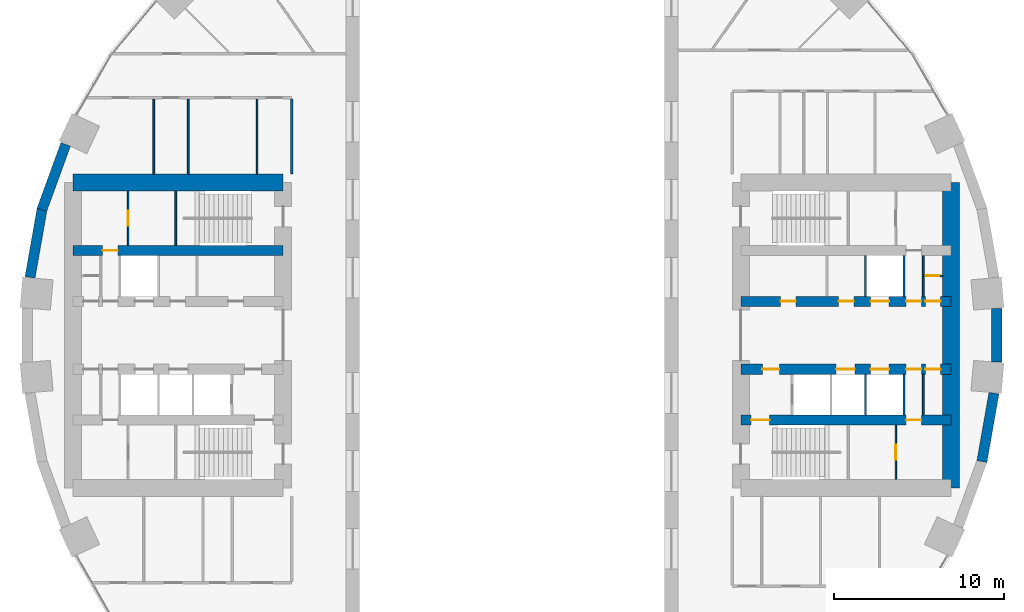
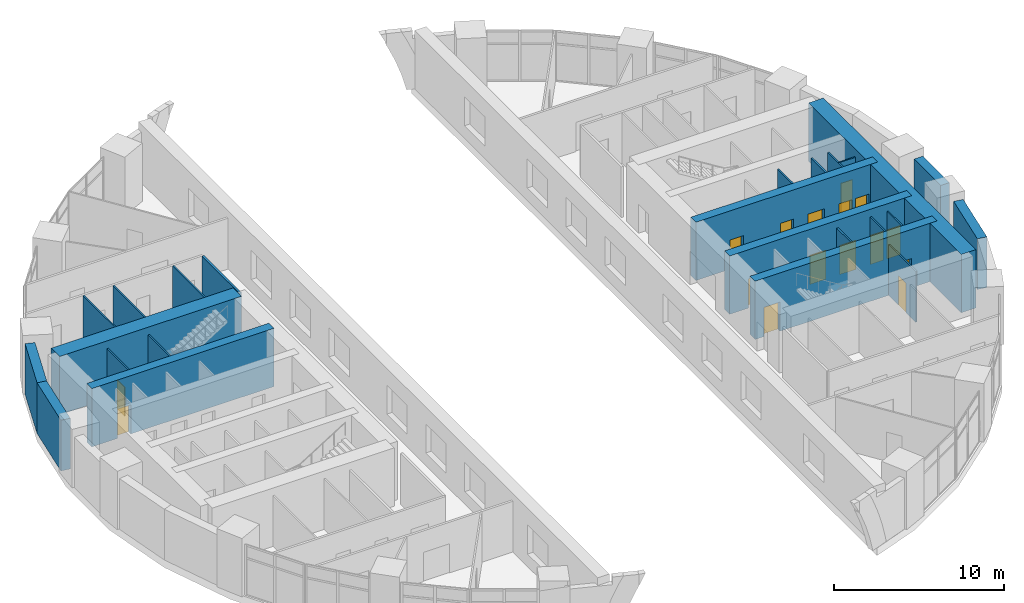
# One storey, part 10 of 13: 24 walls, 16 doors, 16 openings.
"""IFC4 building model written with IfcOpenShell, lengths in metres."""

from ifc_helpers import new_model, si_unit, direction, frame, frame_2d, origin, place, context, subcontext, project, spatial, rectangle, extrude, material, layer, layer_set, type_object, element, fill, save


model = new_model("IFC4")

# Units and contexts
model_context = context("Model", 3, precision=1e-05, world=origin(), true_north=direction((0.0, 1.0)))
body_context = subcontext(model_context, "Body", "Model", "MODEL_VIEW")
ifc_project = project(units=[si_unit("LENGTHUNIT", "METRE"), si_unit("AREAUNIT", "SQUARE_METRE"), si_unit("VOLUMEUNIT", "CUBIC_METRE"), si_unit("PLANEANGLEUNIT", "RADIAN"), si_unit("MASSUNIT", "GRAM", prefix="KILO")], contexts=[model_context])

# Site, building, storey
site_placement = place(None, origin())
site = spatial("IfcSite", under=ifc_project, at=site_placement, CompositionType="ELEMENT")
building_placement = place(site_placement, origin())
building = spatial("IfcBuilding", under=site, at=building_placement, Name="Saqina Gate Tower", CompositionType="ELEMENT")
storey_placement = place(building_placement, frame((0.0, 0.0, 9.199951171875)))
storey = spatial("IfcBuildingStorey", under=building, at=storey_placement, Name="L02", CompositionType="ELEMENT", Elevation=9.199951171875)

# Walls
ifc_material_1 = material(Name="Gypsum board on steel studs", Category="steel")
ifc_layer_1 = layer(ifc_material_1, 0.10009765625)
ifc_layer_set_1 = layer_set([ifc_layer_1], Name="CORE PARTITION")
wall_type_1 = type_object("IfcWallType", Name="CORE PARTITION", PredefinedType="PARTITIONING", material=ifc_layer_set_1)
for number, where, z_axis, x_axis, name in (
    (1, (24.260009765625, 2.300048828125, 0.0), (0.0, 0.0, 1.0), (0.0, 1.0, 0.0), "L02-CP-E04"),
    (2, (24.260009765625, -4.699951171875, 0.0), (0.0, 0.0, 1.0), (0.0, 1.0, 0.0), "L02-CP-E09"),
):
    element("IfcWall", number, at=place(storey_placement, frame(where, z_axis=z_axis, x_axis=x_axis)), inside=storey, type_object=wall_type_1, Name=name, PredefinedType="PARTITIONING", context=body_context, shape_type="SweptSolid", body=[
        extrude(rectangle(XDim=2.39990234375, YDim=0.10009765625, at=frame_2d((1.199951171875, 0.0))), origin(), (0.0, 0.0, 1.0), 3.650146484375),
    ])

# Wall, opening, door
wall_1_placement = place(storey_placement, frame((24.260009765625, 3.5, 0.0), z_axis=(0.0, 0.0, 1.0), x_axis=(1.0, 0.0, 0.0)))
wall_1 = element("IfcWall", 3, at=wall_1_placement, inside=storey, type_object=wall_type_1, Name="L02-CP-E10", PredefinedType="PARTITIONING", context=body_context, shape_type="SweptSolid", body=[
    extrude(rectangle(XDim=1.139892578125, YDim=0.10009765625, at=frame_2d((0.56982421875, 0.0))), origin(), (0.0, 0.0, 1.0), 3.650146484375),
])
opening_1_placement = place(wall_1_placement, frame((0.14990234375, 0.0, 0.0)))
opening_1 = element("IfcOpeningElement", 4, at=opening_1_placement, cuts=wall_1, Name="Opening L02-D97", PredefinedType="OPENING", context=body_context, shape_type="SweptSolid", body=[
    extrude(rectangle(XDim=0.800048828125, YDim=2.10009765625, at=frame_2d((0.39990234375, 1.050048828125))), frame((0.0, 0.06201171875, 0.0), z_axis=(0.0, -1.0, 0.0), x_axis=(1.0, 0.0, 0.0)), (0.0, 0.0, 1.0), 0.1240234375),
])
ifc_material_2 = material(Name="Steel-framed fire door leaf, EI 60", Category="steel")
door_type_1 = type_object("IfcDoorType", Name="SERVICE ROOM DOOR 800", OperationType="SINGLE_SWING_LEFT", PredefinedType="DOOR", material=ifc_material_2)
door_1_placement = place(opening_1_placement, origin())
door_1 = element("IfcDoor", 5, at=door_1_placement, inside=storey, type_object=door_type_1, Name="L02-CD-E08", OperationType="SINGLE_SWING_RIGHT", OverallHeight=2.10009765625, OverallWidth=0.800048828125, PredefinedType="DOOR", context=body_context, shape_type="SweptSolid", body=[
    extrude(rectangle(XDim=0.800048828125, YDim=2.10009765625, at=frame_2d((0.39990234375, 1.050048828125))), frame((0.0, 0.02490234375, 0.0), z_axis=(0.0, -1.0, 0.0), x_axis=(1.0, 0.0, 0.0)), (0.0, 0.0, 1.0), 0.050048828125),
])
fill(opening_1, door_1)

wall_2_placement = place(storey_placement, frame((22.639892578125, -8.5, 0.0), z_axis=(0.0, 0.0, 1.0), x_axis=(0.0, 1.0, 0.0)))
wall_2 = element("IfcWall", 6, at=wall_2_placement, inside=storey, type_object=wall_type_1, Name="L02-CP-E14", PredefinedType="PARTITIONING", context=body_context, shape_type="SweptSolid", body=[
    extrude(rectangle(XDim=3.199951171875, YDim=0.10009765625, at=frame_2d((1.60009765625, 0.0))), origin(), (0.0, 0.0, 1.0), 3.650146484375),
])
opening_2_placement = place(wall_2_placement, frame((1.14990234375, 0.0, 0.0)))
opening_2 = element("IfcOpeningElement", 7, at=opening_2_placement, cuts=wall_2, Name="Opening L02-D100", PredefinedType="OPENING", context=body_context, shape_type="SweptSolid", body=[
    extrude(rectangle(XDim=0.89990234375, YDim=2.10009765625, at=frame_2d((0.449951171875, 1.050048828125))), frame((0.0, 0.06201171875, 0.0), z_axis=(0.0, -1.0, 0.0), x_axis=(1.0, 0.0, 0.0)), (0.0, 0.0, 1.0), 0.1240234375),
])
ifc_material_3 = material(Name="Steel-framed fire door leaf, EI 60", Category="steel")
door_type_2 = type_object("IfcDoorType", Name="SERVICE ROOM DOOR 900", OperationType="SINGLE_SWING_LEFT", PredefinedType="DOOR", material=ifc_material_3)
door_2_placement = place(opening_2_placement, origin())
door_2 = element("IfcDoor", 8, at=door_2_placement, inside=storey, type_object=door_type_2, Name="L02-CD-E11", OperationType="SINGLE_SWING_LEFT", OverallHeight=2.10009765625, OverallWidth=0.89990234375, PredefinedType="DOOR", context=body_context, shape_type="SweptSolid", body=[
    extrude(rectangle(XDim=0.89990234375, YDim=2.10009765625, at=frame_2d((0.449951171875, 1.050048828125))), frame((0.0, 0.02490234375, 0.0), z_axis=(0.0, -1.0, 0.0), x_axis=(1.0, 0.0, 0.0)), (0.0, 0.0, 1.0), 0.050048828125),
])
fill(opening_2, door_2)

wall_3_placement = place(storey_placement, frame((-22.639892578125, 5.300048828125, 0.0), z_axis=(0.0, 0.0, 1.0), x_axis=(0.0, 1.0, 0.0)))
wall_3 = element("IfcWall", 9, at=wall_3_placement, inside=storey, type_object=wall_type_1, Name="L02-CP-W12", PredefinedType="PARTITIONING", context=body_context, shape_type="SweptSolid", body=[
    extrude(rectangle(XDim=3.199951171875, YDim=0.10009765625, at=frame_2d((1.60009765625, 0.0))), origin(), (0.0, 0.0, 1.0), 3.650146484375),
])
opening_3_placement = place(wall_3_placement, frame((1.14990234375, 0.0, 0.0)))
opening_3 = element("IfcOpeningElement", 10, at=opening_3_placement, cuts=wall_3, Name="Opening L02-D114", PredefinedType="OPENING", context=body_context, shape_type="SweptSolid", body=[
    extrude(rectangle(XDim=0.89990234375, YDim=2.10009765625, at=frame_2d((0.449951171875, 1.050048828125))), frame((0.0, 0.06201171875, 0.0), z_axis=(0.0, -1.0, 0.0), x_axis=(1.0, 0.0, 0.0)), (0.0, 0.0, 1.0), 0.1240234375),
])
door_3_placement = place(opening_3_placement, frame((0.89990234375, 0.0, 0.0), z_axis=(0.0, 0.0, 1.0), x_axis=(-1.0, 0.0, 0.0)))
door_3 = element("IfcDoor", 11, at=door_3_placement, inside=storey, type_object=door_type_2, Name="L02-CD-W25", OperationType="SINGLE_SWING_RIGHT", OverallHeight=2.10009765625, OverallWidth=0.89990234375, PredefinedType="DOOR", context=body_context, shape_type="SweptSolid", body=[
    extrude(rectangle(XDim=0.89990234375, YDim=2.10009765625, at=frame_2d((0.449951171875, 1.050048828125))), frame((0.0, 0.02490234375, 0.0), z_axis=(0.0, -1.0, 0.0), x_axis=(1.0, 0.0, 0.0)), (0.0, 0.0, 1.0), 0.050048828125),
])
fill(opening_3, door_3)

# Walls
ifc_material_4 = material(Name="Glazed ceramic tile", Category="ceramic")
ifc_layer_2 = layer(ifc_material_4, 0.60009765625)
ifc_layer_set_2 = layer_set([ifc_layer_2], Name="FW-TILE")
wall_type_2 = type_object("IfcWallType", Name="FW-TILE", PredefinedType="SOLIDWALL", material=ifc_layer_set_2)
for number, where, z_axis, x_axis, name in (
    (12, (-27.71630859375, 7.45361328125, 0.0), (0.0, 0.0, 1.0), (-0.173673210505, -0.984803338719, 0.0), "Facade wall L02 facet 17"),
    (13, (27.71630859375, -7.45361328125, 0.0), (0.0, 0.0, 1.0), (0.173673210505, 0.984803338719, 0.0), "Facade wall L02 facet 35"),
):
    element("IfcWall", number, at=place(storey_placement, frame(where, z_axis=z_axis, x_axis=x_axis)), inside=storey, type_object=wall_type_2, Name=name, PredefinedType="SOLIDWALL", context=body_context, shape_type="SweptSolid", body=[
        extrude(rectangle(XDim=4.09912109375, YDim=0.60009765625, at=frame_2d((2.049560546875, 0.0))), origin(), (0.0, 0.0, 1.0), 3.650146484375),
    ])
ifc_material_5 = material(Name="Glazed ceramic tile (dark blue)", Category="ceramic")
ifc_layer_3 = layer(ifc_material_5, 0.60009765625)
ifc_layer_set_3 = layer_set([ifc_layer_3], Name="FW-TILE-CB")
wall_type_3 = type_object("IfcWallType", Name="FW-TILE-CB", PredefinedType="SOLIDWALL", material=ifc_layer_set_3)
wall_4_placement = place(storey_placement, frame((-26.327880859375, 11.255126953125, 0.0), z_axis=(0.0, 0.0, 1.0), x_axis=(-0.342034744565, -0.939687306241, 0.0)))
element("IfcWall", 14, at=wall_4_placement, inside=storey, type_object=wall_type_3, Name="Facade wall L02 facet 16", PredefinedType="SOLIDWALL", context=body_context, shape_type="SweptSolid", body=[
    extrude(rectangle(XDim=4.099365234375, YDim=0.60009765625, at=frame_2d((2.0498046875, 0.0))), origin(), (0.0, 0.0, 1.0), 3.650146484375),
])
wall_5_placement = place(storey_placement, frame((28.589599609375, -1.571533203125, 0.0), z_axis=(0.0, 0.0, 1.0), x_axis=(0.0, 1.0, 0.0)))
element("IfcWall", 15, at=wall_5_placement, inside=storey, type_object=wall_type_3, Name="Facade wall L02 facet 36", PredefinedType="SOLIDWALL", context=body_context, shape_type="SweptSolid", body=[
    extrude(rectangle(XDim=3.14306640625, YDim=0.60009765625, at=frame_2d((1.571533203125, 0.0))), origin(), (0.0, 0.0, 1.0), 3.650146484375),
])
ifc_material_6 = material(Name="Autoclaved aerated concrete block", Category="concrete")
ifc_layer_4 = layer(ifc_material_6, 0.1201171875)
ifc_layer_set_4 = layer_set([ifc_layer_4], Name="SHAFT PARTITION")
wall_type_4 = type_object("IfcWallType", Name="SHAFT PARTITION", PredefinedType="PARTITIONING", material=ifc_layer_set_4)
for number, where, z_axis, x_axis, name in (
    (16, (20.840087890625, 2.300048828125, 0.0), (0.0, 0.0, 1.0), (0.0, 1.0, 0.0), "L02-CP-E02"),
    (17, (23.1201171875, 2.300048828125, 0.0), (0.0, 0.0, 1.0), (0.0, 1.0, 0.0), "L02-CP-E03"),
    (18, (20.840087890625, -4.699951171875, 0.0), (0.0, 0.0, 1.0), (0.0, 1.0, 0.0), "L02-CP-E07"),
    (19, (23.1201171875, -4.699951171875, 0.0), (0.0, 0.0, 1.0), (0.0, 1.0, 0.0), "L02-CP-E08"),
):
    element("IfcWall", number, at=place(storey_placement, frame(where, z_axis=z_axis, x_axis=x_axis)), inside=storey, type_object=wall_type_4, Name=name, PredefinedType="PARTITIONING", context=body_context, shape_type="SweptSolid", body=[
        extrude(rectangle(XDim=2.39990234375, YDim=0.1201171875, at=frame_2d((1.199951171875, 0.0))), origin(), (0.0, 0.0, 1.0), 3.650146484375),
    ])
ifc_material_7 = material(Name="Gypsum board on steel studs, 100 mm", Category="steel")
ifc_layer_5 = layer(ifc_material_7, 0.10009765625)
ifc_layer_set_5 = layer_set([ifc_layer_5], Name="SPECIAL PARTITION 100")
wall_type_5 = type_object("IfcWallType", Name="SPECIAL PARTITION 100", PredefinedType="PARTITIONING", material=ifc_layer_set_5)
for number, where, z_axis, x_axis, name in (
    (20, (-15.032958984375, 9.5, 0.0), (0.0, 0.0, 1.0), (0.0, 1.0, 0.0), "PARTITION 028"),
    (21, (-19.10009765625, 9.5, 0.0), (0.0, 0.0, 1.0), (0.0, 1.0, 0.0), "PARTITION 031"),
    (22, (-21.133056640625, 9.5, 0.0), (0.0, 0.0, 1.0), (0.0, 1.0, 0.0), "PARTITION 032"),
):
    element("IfcWall", number, at=place(storey_placement, frame(where, z_axis=z_axis, x_axis=x_axis)), inside=storey, type_object=wall_type_5, Name=name, PredefinedType="PARTITIONING", context=body_context, shape_type="SweptSolid", body=[
        extrude(rectangle(XDim=4.425048828125, YDim=0.10009765625, at=frame_2d((2.21240234375, 0.0))), origin(), (0.0, 0.0, 1.0), 3.650146484375),
    ])
ifc_material_8 = material(Name="Gypsum board on steel studs, 150 mm, fire rated", Category="steel")
ifc_layer_6 = layer(ifc_material_8, 0.14990234375)
ifc_layer_set_6 = layer_set([ifc_layer_6], Name="SPECIAL PARTITION EI 30 150")
wall_type_6 = type_object("IfcWallType", Name="SPECIAL PARTITION EI 30 150", PredefinedType="PARTITIONING", material=ifc_layer_set_6)
wall_6_placement = place(storey_placement, frame((-13.0, 9.5, 0.0), z_axis=(0.0, 0.0, 1.0), x_axis=(0.0, 1.0, 0.0)))
element("IfcWall", 23, at=wall_6_placement, inside=storey, type_object=wall_type_6, Name="PARTITION 027", PredefinedType="PARTITIONING", context=body_context, shape_type="SweptSolid", body=[
    extrude(rectangle(XDim=4.425048828125, YDim=0.14990234375, at=frame_2d((2.21240234375, 0.0))), origin(), (0.0, 0.0, 1.0), 3.650146484375),
])
ifc_material_9 = material(Name="Autoclaved aerated concrete block", Category="concrete")
ifc_layer_7 = layer(ifc_material_9, 0.10009765625)
ifc_layer_set_7 = layer_set([ifc_layer_7], Name="STAIR ENCLOSURE WALL")
wall_type_7 = type_object("IfcWallType", Name="STAIR ENCLOSURE WALL", PredefinedType="PARTITIONING", material=ifc_layer_set_7)
wall_7_placement = place(storey_placement, frame((-19.830078125, 5.300048828125, 0.0), z_axis=(0.0, 0.0, 1.0), x_axis=(0.0, 1.0, 0.0)))
element("IfcWall", 24, at=wall_7_placement, inside=storey, type_object=wall_type_7, Name="L02-CP-W11", PredefinedType="PARTITIONING", context=body_context, shape_type="SweptSolid", body=[
    extrude(rectangle(XDim=3.199951171875, YDim=0.10009765625, at=frame_2d((1.60009765625, 0.0))), origin(), (0.0, 0.0, 1.0), 3.650146484375),
])

# Wall, openings, doors
ifc_material_10 = material(Name="Concrete C70/85", Category="concrete")
ifc_layer_8 = layer(ifc_material_10, 0.60009765625)
ifc_layer_set_8 = layer_set([ifc_layer_8], Name="Concrete C70/85")
wall_type_8 = type_object("IfcWallType", Name="STR-CORE WALL-P-I", PredefinedType="SHEAR", material=ifc_layer_set_8)
wall_8_placement = place(storey_placement, frame((13.5, -5.0, 0.0), z_axis=(0.0, 0.0, 1.0), x_axis=(1.0, 0.0, 0.0)))
wall_8 = element("IfcWall", 25, at=wall_8_placement, inside=storey, type_object=wall_type_8, Name="CORE WALL L02 E-X2", PredefinedType="SHEAR", context=body_context, shape_type="SweptSolid", body=[
    extrude(rectangle(XDim=12.39990234375, YDim=0.60009765625, at=frame_2d((6.199951171875, 0.0))), origin(), (0.0, 0.0, 1.0), 4.199951171875),
])
opening_4_placement = place(wall_8_placement, frame((9.739990234375, 0.0, 0.0)))
opening_4 = element("IfcOpeningElement", 26, at=opening_4_placement, cuts=wall_8, Name="Opening L02-D101", PredefinedType="OPENING", context=body_context, shape_type="SweptSolid", body=[
    extrude(rectangle(XDim=0.89990234375, YDim=2.10009765625, at=frame_2d((0.449951171875, 1.050048828125))), frame((0.0, 0.31201171875, 0.0), z_axis=(0.0, -1.0, 0.0), x_axis=(1.0, 0.0, 0.0)), (0.0, 0.0, 1.0), 0.6240234375),
])
opening_5_placement = place(wall_8_placement, frame((0.60009765625, 0.0, 0.0)))
opening_5 = element("IfcOpeningElement", 27, at=opening_5_placement, cuts=wall_8, Name="Opening L02-D102", PredefinedType="OPENING", context=body_context, shape_type="SweptSolid", body=[
    extrude(rectangle(XDim=1.10009765625, YDim=2.10009765625, at=frame_2d((0.550048828125, 1.050048828125))), frame((0.0, 0.31201171875, 0.0), z_axis=(0.0, -1.0, 0.0), x_axis=(1.0, 0.0, 0.0)), (0.0, 0.0, 1.0), 0.6240234375),
])
ifc_material_11 = material(Name="Steel", Category="steel")
door_type_3 = type_object("IfcDoorType", Name="FIRE LOBBY DOOR EI 60 WIDE", OperationType="SINGLE_SWING_LEFT", PredefinedType="DOOR", material=ifc_material_11)
door_4_placement = place(opening_5_placement, frame((1.10009765625, 0.0, 0.0), z_axis=(0.0, 0.0, 1.0), x_axis=(-1.0, 0.0, 0.0)))
door_4 = element("IfcDoor", 28, at=door_4_placement, inside=storey, type_object=door_type_3, Name="L02-CD-E13", OperationType="SINGLE_SWING_RIGHT", OverallHeight=2.10009765625, OverallWidth=1.10009765625, PredefinedType="DOOR", context=body_context, shape_type="SweptSolid", body=[
    extrude(rectangle(XDim=1.10009765625, YDim=2.10009765625, at=frame_2d((0.550048828125, 1.050048828125))), frame((0.0, 0.02490234375, 0.0), z_axis=(0.0, -1.0, 0.0), x_axis=(1.0, 0.0, 0.0)), (0.0, 0.0, 1.0), 0.050048828125),
])
fill(opening_5, door_4)
door_5_placement = place(opening_4_placement, frame((0.89990234375, 0.0, 0.0), z_axis=(0.0, 0.0, 1.0), x_axis=(-1.0, 0.0, 0.0)))
door_5 = element("IfcDoor", 29, at=door_5_placement, inside=storey, type_object=door_type_2, Name="L02-CD-E12", OperationType="SINGLE_SWING_RIGHT", OverallHeight=2.10009765625, OverallWidth=0.89990234375, PredefinedType="DOOR", context=body_context, shape_type="SweptSolid", body=[
    extrude(rectangle(XDim=0.89990234375, YDim=2.10009765625, at=frame_2d((0.449951171875, 1.050048828125))), frame((0.0, 0.02490234375, 0.0), z_axis=(0.0, -1.0, 0.0), x_axis=(1.0, 0.0, 0.0)), (0.0, 0.0, 1.0), 0.050048828125),
])
fill(opening_4, door_5)

wall_9_placement = place(storey_placement, frame((13.5, 2.0, 0.0), z_axis=(0.0, 0.0, 1.0), x_axis=(1.0, 0.0, 0.0)))
wall_9 = element("IfcWall", 30, at=wall_9_placement, inside=storey, type_object=wall_type_8, Name="CORE WALL L02 E-L1", PredefinedType="SHEAR", context=body_context, shape_type="SweptSolid", body=[
    extrude(rectangle(XDim=12.39990234375, YDim=0.60009765625, at=frame_2d((6.199951171875, 0.0))), origin(), (0.0, 0.0, 1.0), 4.199951171875),
])
opening_6_placement = place(wall_9_placement, frame((7.64990234375, 0.0, 0.0)))
opening_6 = element("IfcOpeningElement", 31, at=opening_6_placement, cuts=wall_9, Name="Opening L02-LD1", PredefinedType="OPENING", context=body_context, shape_type="SweptSolid", body=[
    extrude(rectangle(XDim=1.10009765625, YDim=2.10009765625, at=frame_2d((0.550048828125, 1.050048828125))), frame((0.0, 0.31201171875, 0.0), z_axis=(0.0, -1.0, 0.0), x_axis=(1.0, 0.0, 0.0)), (0.0, 0.0, 1.0), 0.6240234375),
])
opening_7_placement = place(wall_9_placement, frame((2.34130859375, 0.0, 0.0)))
opening_7 = element("IfcOpeningElement", 32, at=opening_7_placement, cuts=wall_9, Name="Opening L02-D90", PredefinedType="OPENING", context=body_context, shape_type="SweptSolid", body=[
    extrude(rectangle(XDim=0.89990234375, YDim=2.10009765625, at=frame_2d((0.449951171875, 1.050048828125))), frame((0.0, 0.31201171875, 0.0), z_axis=(0.0, -1.0, 0.0), x_axis=(1.0, 0.0, 0.0)), (0.0, 0.0, 1.0), 0.6240234375),
])
opening_8_placement = place(wall_9_placement, frame((5.761474609375, 0.0, 0.0)))
opening_8 = element("IfcOpeningElement", 33, at=opening_8_placement, cuts=wall_9, Name="Opening L02-D91", PredefinedType="OPENING", context=body_context, shape_type="SweptSolid", body=[
    extrude(rectangle(XDim=0.89990234375, YDim=2.10009765625, at=frame_2d((0.449951171875, 1.050048828125))), frame((0.0, 0.31201171875, 0.0), z_axis=(0.0, -1.0, 0.0), x_axis=(1.0, 0.0, 0.0)), (0.0, 0.0, 1.0), 0.6240234375),
])
opening_9_placement = place(wall_9_placement, frame((9.739990234375, 0.0, 0.0)))
opening_9 = element("IfcOpeningElement", 34, at=opening_9_placement, cuts=wall_9, Name="Opening L02-D92", PredefinedType="OPENING", context=body_context, shape_type="SweptSolid", body=[
    extrude(rectangle(XDim=0.89990234375, YDim=2.10009765625, at=frame_2d((0.449951171875, 1.050048828125))), frame((0.0, 0.31201171875, 0.0), z_axis=(0.0, -1.0, 0.0), x_axis=(1.0, 0.0, 0.0)), (0.0, 0.0, 1.0), 0.6240234375),
])
opening_10_placement = place(wall_9_placement, frame((10.8798828125, 0.0, 0.0)))
opening_10 = element("IfcOpeningElement", 35, at=opening_10_placement, cuts=wall_9, Name="Opening L02-D93", PredefinedType="OPENING", context=body_context, shape_type="SweptSolid", body=[
    extrude(rectangle(XDim=0.89990234375, YDim=2.10009765625, at=frame_2d((0.449951171875, 1.050048828125))), frame((0.0, 0.31201171875, 0.0), z_axis=(0.0, -1.0, 0.0), x_axis=(1.0, 0.0, 0.0)), (0.0, 0.0, 1.0), 0.6240234375),
])
ifc_material_12 = material(Name="Stainless steel", Category="steel")
door_type_4 = type_object("IfcDoorType", Name="LANDING DOOR", OperationType="DOUBLE_DOOR_SLIDING", PredefinedType="DOOR", material=ifc_material_12)
door_6_placement = place(opening_6_placement, origin())
door_6 = element("IfcDoor", 36, at=door_6_placement, inside=storey, type_object=door_type_4, Name="LANDING DOOR LR1", OperationType="DOUBLE_DOOR_SLIDING", OverallHeight=2.10009765625, OverallWidth=1.10009765625, PredefinedType="DOOR", context=body_context, shape_type="SweptSolid", body=[
    extrude(rectangle(XDim=1.10009765625, YDim=2.10009765625, at=frame_2d((0.550048828125, 1.050048828125))), frame((0.0, 0.02490234375, 0.0), z_axis=(0.0, -1.0, 0.0), x_axis=(1.0, 0.0, 0.0)), (0.0, 0.0, 1.0), 0.050048828125),
])
fill(opening_6, door_6)
door_7_placement = place(opening_7_placement, origin())
door_7 = element("IfcDoor", 37, at=door_7_placement, inside=storey, type_object=door_type_2, Name="L02-CD-E01", OperationType="SINGLE_SWING_LEFT", OverallHeight=2.10009765625, OverallWidth=0.89990234375, PredefinedType="DOOR", context=body_context, shape_type="SweptSolid", body=[
    extrude(rectangle(XDim=0.89990234375, YDim=2.10009765625, at=frame_2d((0.449951171875, 1.050048828125))), frame((0.0, 0.02490234375, 0.0), z_axis=(0.0, -1.0, 0.0), x_axis=(1.0, 0.0, 0.0)), (0.0, 0.0, 1.0), 0.050048828125),
])
fill(opening_7, door_7)
door_8_placement = place(opening_8_placement, origin())
door_8 = element("IfcDoor", 38, at=door_8_placement, inside=storey, type_object=door_type_2, Name="L02-CD-E02", OperationType="SINGLE_SWING_RIGHT", OverallHeight=2.10009765625, OverallWidth=0.89990234375, PredefinedType="DOOR", context=body_context, shape_type="SweptSolid", body=[
    extrude(rectangle(XDim=0.89990234375, YDim=2.10009765625, at=frame_2d((0.449951171875, 1.050048828125))), frame((0.0, 0.02490234375, 0.0), z_axis=(0.0, -1.0, 0.0), x_axis=(1.0, 0.0, 0.0)), (0.0, 0.0, 1.0), 0.050048828125),
])
fill(opening_8, door_8)
door_9_placement = place(opening_9_placement, origin())
door_9 = element("IfcDoor", 39, at=door_9_placement, inside=storey, type_object=door_type_2, Name="L02-CD-E03", OperationType="SINGLE_SWING_LEFT", OverallHeight=2.10009765625, OverallWidth=0.89990234375, PredefinedType="DOOR", context=body_context, shape_type="SweptSolid", body=[
    extrude(rectangle(XDim=0.89990234375, YDim=2.10009765625, at=frame_2d((0.449951171875, 1.050048828125))), frame((0.0, 0.02490234375, 0.0), z_axis=(0.0, -1.0, 0.0), x_axis=(1.0, 0.0, 0.0)), (0.0, 0.0, 1.0), 0.050048828125),
])
fill(opening_9, door_9)
door_10_placement = place(opening_10_placement, origin())
door_10 = element("IfcDoor", 40, at=door_10_placement, inside=storey, type_object=door_type_2, Name="L02-CD-E04", OperationType="SINGLE_SWING_RIGHT", OverallHeight=2.10009765625, OverallWidth=0.89990234375, PredefinedType="DOOR", context=body_context, shape_type="SweptSolid", body=[
    extrude(rectangle(XDim=0.89990234375, YDim=2.10009765625, at=frame_2d((0.449951171875, 1.050048828125))), frame((0.0, 0.02490234375, 0.0), z_axis=(0.0, -1.0, 0.0), x_axis=(1.0, 0.0, 0.0)), (0.0, 0.0, 1.0), 0.050048828125),
])
fill(opening_10, door_10)

wall_10_placement = place(storey_placement, frame((13.5, -2.0, 0.0), z_axis=(0.0, 0.0, 1.0), x_axis=(1.0, 0.0, 0.0)))
wall_10 = element("IfcWall", 41, at=wall_10_placement, inside=storey, type_object=wall_type_8, Name="CORE WALL L02 E-L2", PredefinedType="SHEAR", context=body_context, shape_type="SweptSolid", body=[
    extrude(rectangle(XDim=12.39990234375, YDim=0.60009765625, at=frame_2d((6.199951171875, 0.0))), origin(), (0.0, 0.0, 1.0), 4.199951171875),
])
opening_11_placement = place(wall_10_placement, frame((5.6201171875, 0.0, 0.0)))
opening_11 = element("IfcOpeningElement", 42, at=opening_11_placement, cuts=wall_10, Name="Opening L02-LD3", PredefinedType="OPENING", context=body_context, shape_type="SweptSolid", body=[
    extrude(rectangle(XDim=1.10009765625, YDim=2.10009765625, at=frame_2d((0.550048828125, 1.050048828125))), frame((0.0, 0.31201171875, 0.0), z_axis=(0.0, -1.0, 0.0), x_axis=(1.0, 0.0, 0.0)), (0.0, 0.0, 1.0), 0.6240234375),
])
opening_12_placement = place(wall_10_placement, frame((7.64990234375, 0.0, 0.0)))
opening_12 = element("IfcOpeningElement", 43, at=opening_12_placement, cuts=wall_10, Name="Opening L02-LD4", PredefinedType="OPENING", context=body_context, shape_type="SweptSolid", body=[
    extrude(rectangle(XDim=1.10009765625, YDim=2.10009765625, at=frame_2d((0.550048828125, 1.050048828125))), frame((0.0, 0.31201171875, 0.0), z_axis=(0.0, -1.0, 0.0), x_axis=(1.0, 0.0, 0.0)), (0.0, 0.0, 1.0), 0.6240234375),
])
opening_13_placement = place(wall_10_placement, frame((1.264892578125, 0.0, 0.0)))
opening_13 = element("IfcOpeningElement", 44, at=opening_13_placement, cuts=wall_10, Name="Opening L02-D94", PredefinedType="OPENING", context=body_context, shape_type="SweptSolid", body=[
    extrude(rectangle(XDim=1.0, YDim=2.10009765625, at=frame_2d((0.5, 1.050048828125))), frame((0.0, 0.31201171875, 0.0), z_axis=(0.0, -1.0, 0.0), x_axis=(1.0, 0.0, 0.0)), (0.0, 0.0, 1.0), 0.6240234375),
])
opening_14_placement = place(wall_10_placement, frame((9.739990234375, 0.0, 0.0)))
opening_14 = element("IfcOpeningElement", 45, at=opening_14_placement, cuts=wall_10, Name="Opening L02-D95", PredefinedType="OPENING", context=body_context, shape_type="SweptSolid", body=[
    extrude(rectangle(XDim=0.89990234375, YDim=2.10009765625, at=frame_2d((0.449951171875, 1.050048828125))), frame((0.0, 0.31201171875, 0.0), z_axis=(0.0, -1.0, 0.0), x_axis=(1.0, 0.0, 0.0)), (0.0, 0.0, 1.0), 0.6240234375),
])
opening_15_placement = place(wall_10_placement, frame((10.8798828125, 0.0, 0.0)))
opening_15 = element("IfcOpeningElement", 46, at=opening_15_placement, cuts=wall_10, Name="Opening L02-D96", PredefinedType="OPENING", context=body_context, shape_type="SweptSolid", body=[
    extrude(rectangle(XDim=0.89990234375, YDim=2.10009765625, at=frame_2d((0.449951171875, 1.050048828125))), frame((0.0, 0.31201171875, 0.0), z_axis=(0.0, -1.0, 0.0), x_axis=(1.0, 0.0, 0.0)), (0.0, 0.0, 1.0), 0.6240234375),
])
ifc_material_13 = material(Name="Steel", Category="steel")
door_type_5 = type_object("IfcDoorType", Name="FIRE LOBBY DOOR EI 60", OperationType="SINGLE_SWING_LEFT", PredefinedType="DOOR", material=ifc_material_13)
door_11_placement = place(opening_13_placement, origin())
door_11 = element("IfcDoor", 47, at=door_11_placement, inside=storey, type_object=door_type_5, Name="L02-CD-E05", OperationType="SINGLE_SWING_LEFT", OverallHeight=2.10009765625, OverallWidth=1.0, PredefinedType="DOOR", context=body_context, shape_type="SweptSolid", body=[
    extrude(rectangle(XDim=1.0, YDim=2.10009765625, at=frame_2d((0.5, 1.050048828125))), frame((0.0, 0.02490234375, 0.0), z_axis=(0.0, -1.0, 0.0), x_axis=(1.0, 0.0, 0.0)), (0.0, 0.0, 1.0), 0.050048828125),
])
fill(opening_13, door_11)
door_12_placement = place(opening_11_placement, origin())
door_12 = element("IfcDoor", 48, at=door_12_placement, inside=storey, type_object=door_type_4, Name="LANDING DOOR LR3", OperationType="DOUBLE_DOOR_SLIDING", OverallHeight=2.10009765625, OverallWidth=1.10009765625, PredefinedType="DOOR", context=body_context, shape_type="SweptSolid", body=[
    extrude(rectangle(XDim=1.10009765625, YDim=2.10009765625, at=frame_2d((0.550048828125, 1.050048828125))), frame((0.0, 0.02490234375, 0.0), z_axis=(0.0, -1.0, 0.0), x_axis=(1.0, 0.0, 0.0)), (0.0, 0.0, 1.0), 0.050048828125),
])
fill(opening_11, door_12)
door_13_placement = place(opening_12_placement, origin())
door_13 = element("IfcDoor", 49, at=door_13_placement, inside=storey, type_object=door_type_4, Name="LANDING DOOR LR2", OperationType="DOUBLE_DOOR_SLIDING", OverallHeight=2.10009765625, OverallWidth=1.10009765625, PredefinedType="DOOR", context=body_context, shape_type="SweptSolid", body=[
    extrude(rectangle(XDim=1.10009765625, YDim=2.10009765625, at=frame_2d((0.550048828125, 1.050048828125))), frame((0.0, 0.02490234375, 0.0), z_axis=(0.0, -1.0, 0.0), x_axis=(1.0, 0.0, 0.0)), (0.0, 0.0, 1.0), 0.050048828125),
])
fill(opening_12, door_13)
door_14_placement = place(opening_14_placement, frame((0.89990234375, 0.0, 0.0), z_axis=(0.0, 0.0, 1.0), x_axis=(-1.0, 0.0, 0.0)))
door_14 = element("IfcDoor", 50, at=door_14_placement, inside=storey, type_object=door_type_2, Name="L02-CD-E06", OperationType="SINGLE_SWING_RIGHT", OverallHeight=2.10009765625, OverallWidth=0.89990234375, PredefinedType="DOOR", context=body_context, shape_type="SweptSolid", body=[
    extrude(rectangle(XDim=0.89990234375, YDim=2.10009765625, at=frame_2d((0.449951171875, 1.050048828125))), frame((0.0, 0.02490234375, 0.0), z_axis=(0.0, -1.0, 0.0), x_axis=(1.0, 0.0, 0.0)), (0.0, 0.0, 1.0), 0.050048828125),
])
fill(opening_14, door_14)
door_15_placement = place(opening_15_placement, frame((0.89990234375, 0.0, 0.0), z_axis=(0.0, 0.0, 1.0), x_axis=(-1.0, 0.0, 0.0)))
door_15 = element("IfcDoor", 51, at=door_15_placement, inside=storey, type_object=door_type_2, Name="L02-CD-E07", OperationType="SINGLE_SWING_LEFT", OverallHeight=2.10009765625, OverallWidth=0.89990234375, PredefinedType="DOOR", context=body_context, shape_type="SweptSolid", body=[
    extrude(rectangle(XDim=0.89990234375, YDim=2.10009765625, at=frame_2d((0.449951171875, 1.050048828125))), frame((0.0, 0.02490234375, 0.0), z_axis=(0.0, -1.0, 0.0), x_axis=(1.0, 0.0, 0.0)), (0.0, 0.0, 1.0), 0.050048828125),
])
fill(opening_15, door_15)

# Wall, opening, door
wall_11_placement = place(storey_placement, frame((-13.5, 5.0, 0.0), z_axis=(0.0, 0.0, 1.0), x_axis=(-1.0, 0.0, 0.0)))
wall_11 = element("IfcWall", 52, at=wall_11_placement, inside=storey, type_object=wall_type_8, Name="CORE WALL L02 W-X1", PredefinedType="SHEAR", context=body_context, shape_type="SweptSolid", body=[
    extrude(rectangle(XDim=12.39990234375, YDim=0.60009765625, at=frame_2d((6.199951171875, 0.0))), origin(), (0.0, 0.0, 1.0), 4.199951171875),
])
opening_16_placement = place(wall_11_placement, frame((9.739990234375, 0.0, 0.0)))
opening_16 = element("IfcOpeningElement", 53, at=opening_16_placement, cuts=wall_11, Name="Opening L02-D115", PredefinedType="OPENING", context=body_context, shape_type="SweptSolid", body=[
    extrude(rectangle(XDim=0.89990234375, YDim=2.10009765625, at=frame_2d((0.449951171875, 1.050048828125))), frame((0.0, 0.31201171875, 0.0), z_axis=(0.0, -1.0, 0.0), x_axis=(1.0, 0.0, 0.0)), (0.0, 0.0, 1.0), 0.6240234375),
])
door_16_placement = place(opening_16_placement, frame((0.89990234375, 0.0, 0.0), z_axis=(0.0, 0.0, 1.0), x_axis=(-1.0, 0.0, 0.0)))
door_16 = element("IfcDoor", 54, at=door_16_placement, inside=storey, type_object=door_type_2, Name="L02-CD-W26", OperationType="SINGLE_SWING_RIGHT", OverallHeight=2.10009765625, OverallWidth=0.89990234375, PredefinedType="DOOR", context=body_context, shape_type="SweptSolid", body=[
    extrude(rectangle(XDim=0.89990234375, YDim=2.10009765625, at=frame_2d((0.449951171875, 1.050048828125))), frame((0.0, 0.02490234375, 0.0), z_axis=(0.0, -1.0, 0.0), x_axis=(1.0, 0.0, 0.0)), (0.0, 0.0, 1.0), 0.050048828125),
])
fill(opening_16, door_16)

# Walls
ifc_material_14 = material(Name="Concrete C70/85", Category="concrete")
ifc_layer_9 = layer(ifc_material_14, 1.0)
ifc_layer_set_9 = layer_set([ifc_layer_9], Name="Concrete C70/85")
wall_type_9 = type_object("IfcWallType", Name="STR-CORE WALL-P-O", PredefinedType="SHEAR", material=ifc_layer_set_9)
wall_12_placement = place(storey_placement, frame((25.89990234375, -9.0, 0.0), z_axis=(0.0, 0.0, 1.0), x_axis=(0.0, 1.0, 0.0)))
element("IfcWall", 55, at=wall_12_placement, inside=storey, type_object=wall_type_9, Name="CORE WALL L02 E-W2", PredefinedType="SHEAR", context=body_context, shape_type="SweptSolid", body=[
    extrude(rectangle(XDim=18.0, YDim=1.0, at=frame_2d((9.0, 0.0))), origin(), (0.0, 0.0, 1.0), 4.199951171875),
])
wall_13_placement = place(storey_placement, frame((-13.5, 9.0, 0.0), z_axis=(0.0, 0.0, 1.0), x_axis=(-1.0, 0.0, 0.0)))
element("IfcWall", 56, at=wall_13_placement, inside=storey, type_object=wall_type_9, Name="CORE WALL L02 W-NE", PredefinedType="SHEAR", context=body_context, shape_type="SweptSolid", body=[
    extrude(rectangle(XDim=12.39990234375, YDim=1.0, at=frame_2d((6.199951171875, 0.0))), origin(), (0.0, 0.0, 1.0), 4.199951171875),
])

save(model, "model.ifc")
